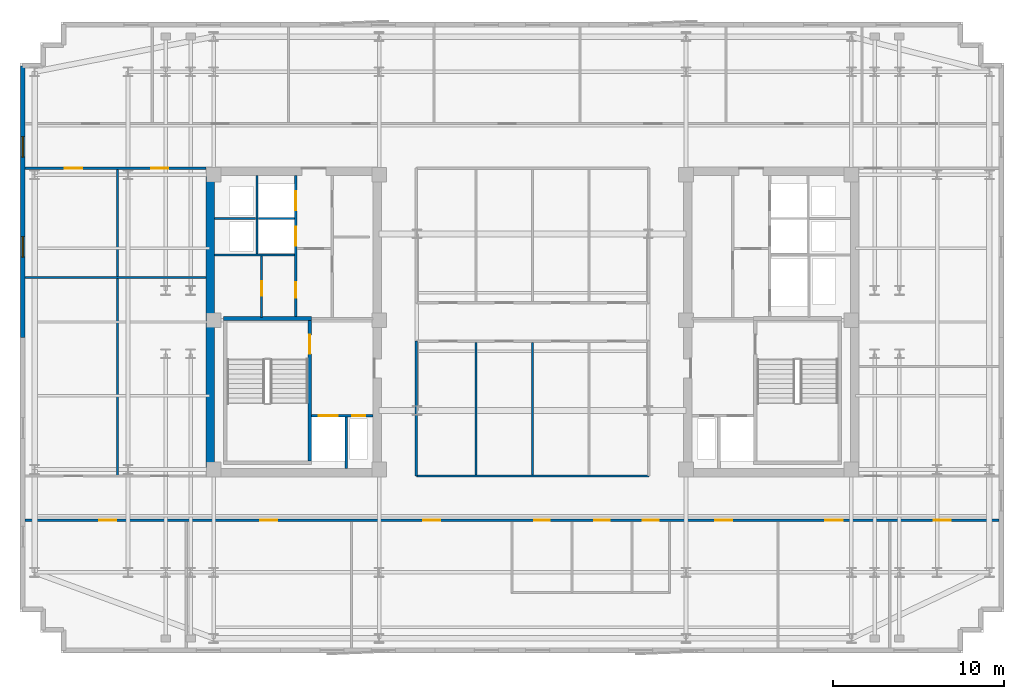
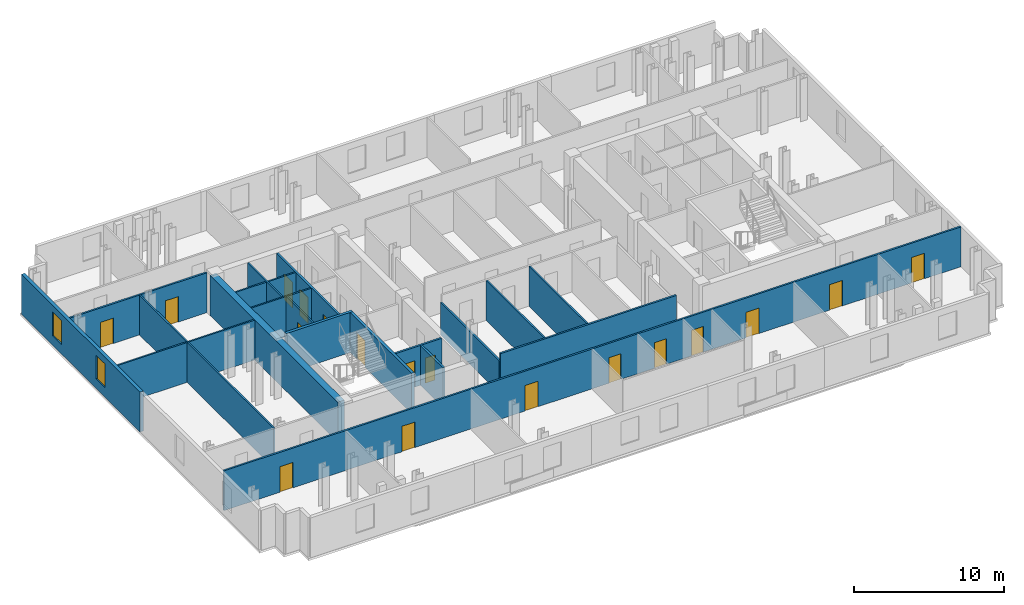
# One storey, part 4 of 9: 20 walls, 18 doors, 2 windows, 20 openings.
"""IFC4 building model written with IfcOpenShell, lengths in metres."""

from ifc_helpers import new_model, si_unit, direction, frame, frame_2d, origin, place, context, subcontext, project, spatial, rectangle, extrude, material, layer, layer_set, type_object, element, fill, save


model = new_model("IFC4")

# Units and contexts
model_context = context("Model", 3, precision=1e-05, world=origin(), true_north=direction((0.0, 1.0)))
body_context = subcontext(model_context, "Body", "Model", "MODEL_VIEW")
ifc_project = project(units=[si_unit("LENGTHUNIT", "METRE"), si_unit("AREAUNIT", "SQUARE_METRE"), si_unit("VOLUMEUNIT", "CUBIC_METRE"), si_unit("PLANEANGLEUNIT", "RADIAN"), si_unit("MASSUNIT", "GRAM", prefix="KILO")], contexts=[model_context])

# Site, building, storey
site_placement = place(None, origin())
site = spatial("IfcSite", under=ifc_project, at=site_placement, CompositionType="ELEMENT")
building_placement = place(site_placement, origin())
building = spatial("IfcBuilding", under=site, at=building_placement, Name="Velakula Bourse", CompositionType="ELEMENT")
storey_placement = place(building_placement, frame((0.0, 0.0, 236.10009765625)))
storey = spatial("IfcBuildingStorey", under=building, at=storey_placement, Name="L64", CompositionType="ELEMENT", Elevation=236.10009765625)

# Wall, opening, door
ifc_material_1 = material(Name="Concrete M50 (fck 50 MPa)", Category="concrete")
ifc_layer_1 = layer(ifc_material_1, 0.2099609375, Name="Concrete M50 (fck 50 MPa)", Category="concrete")
ifc_layer_set_1 = layer_set([ifc_layer_1], Name="Concrete M50 (fck 50 MPa)")
wall_type_1 = type_object("IfcWallType", Name="WL-CORE-210", PredefinedType="SHEAR", material=ifc_layer_set_1)
wall_1_placement = place(storey_placement, frame((-12.9951171875, -8.10009765625, 0.0), z_axis=(0.0, 0.0, 1.0), x_axis=(0.0, 1.0, 0.0)))
wall_1 = element("IfcWall", 1, at=wall_1_placement, inside=storey, type_object=wall_type_1, Name="L64 Core W Stairwell Shear Wall IN", PredefinedType="SHEAR", context=body_context, shape_type="SweptSolid", body=[
    extrude(rectangle(XDim=8.2001953125, YDim=0.2099609375, at=frame_2d((4.10009765625, 0.0))), origin(), (0.0, 0.0, 1.0), 3.27001953125),
])
opening_1_placement = place(wall_1_placement, frame((6.25, 0.0, 0.0)))
opening_1 = element("IfcOpeningElement", 2, at=opening_1_placement, cuts=wall_1, Name="Opening D-STW1", PredefinedType="OPENING", context=body_context, shape_type="SweptSolid", body=[
    extrude(rectangle(XDim=1.10009765625, YDim=2.14990234375, at=frame_2d((0.550048828125, 1.074951171875))), frame((0.0, 0.114990234375, 0.0), z_axis=(0.0, -1.0, 0.0), x_axis=(1.0, 0.0, 0.0)), (0.0, 0.0, 1.0), 0.22998046875),
])
ifc_material_2 = material(Name="Galvanised painted hollow steel fire door", Category="steel")
door_type_1 = type_object("IfcDoorType", Name="DR-FD120-1100x2150", OperationType="NOTDEFINED", PredefinedType="DOOR", material=ifc_material_2)
door_1_placement = place(opening_1_placement, origin())
door_1 = element("IfcDoor", 3, at=door_1_placement, inside=storey, type_object=door_type_1, Name="L64 Stair ST-W1 Fire Door", OperationType="SINGLE_SWING_LEFT", OverallHeight=2.14990234375, OverallWidth=1.10009765625, PredefinedType="DOOR", context=body_context, shape_type="SweptSolid", body=[
    extrude(rectangle(XDim=1.10009765625, YDim=2.14990234375, at=frame_2d((0.550048828125, 1.074951171875))), frame((0.0, 0.02490234375, 0.0), z_axis=(0.0, -1.0, 0.0), x_axis=(1.0, 0.0, 0.0)), (0.0, 0.0, 1.0), 0.050048828125),
])
fill(opening_1, door_1)

# Walls
wall_2_placement = place(storey_placement, frame((-12.889892578125, 0.205078125, 0.0), z_axis=(0.0, 0.0, 1.0), x_axis=(-1.0, 0.0, 0.0)))
element("IfcWall", 4, at=wall_2_placement, inside=storey, type_object=wall_type_1, Name="L64 Core W Stairwell Shear Wall N", PredefinedType="SHEAR", context=body_context, shape_type="SweptSolid", body=[
    extrude(rectangle(XDim=5.14013671875, YDim=0.2099609375, at=frame_2d((2.570068359375, 0.0))), origin(), (0.0, 0.0, 1.0), 3.27001953125),
])
ifc_layer_2 = layer(ifc_material_1, 0.5, Name="Concrete M50 (fck 50 MPa)", Category="concrete")
ifc_layer_set_2 = layer_set([ifc_layer_2], Name="Concrete M50 (fck 50 MPa)")
wall_type_2 = type_object("IfcWallType", Name="WL-CORE-500", PredefinedType="SHEAR", material=ifc_layer_set_2)
wall_3_placement = place(storey_placement, frame((-18.800048828125, -8.550048828125, 0.0), z_axis=(0.0, 0.0, 1.0), x_axis=(0.0, 1.0, 0.0)))
element("IfcWall", 5, at=wall_3_placement, inside=storey, type_object=wall_type_2, Name="L64 Core W Shear Wall W", PredefinedType="SHEAR", context=body_context, shape_type="SweptSolid", body=[
    extrude(rectangle(XDim=17.10009765625, YDim=0.5, at=frame_2d((8.550048828125, 0.0))), origin(), (0.0, 0.0, 1.0), 3.27001953125),
])

# Wall, openings, windows
ifc_material_3 = material(Name="Buff kilned clay facing brick masonry", Category="masonry")
ifc_layer_3 = layer(ifc_material_3, 0.260009765625, Name="Buff kilned clay facing brick masonry", Category="masonry")
ifc_layer_set_3 = layer_set([ifc_layer_3], Name="Buff kilned clay facing brick masonry")
wall_type_3 = type_object("IfcWallType", Name="WL-EXT-BRK-260", PredefinedType="STANDARD", material=ifc_layer_set_3)
wall_4_placement = place(storey_placement, frame((-29.75, -0.89990234375, 0.0), z_axis=(0.0, 0.0, 1.0), x_axis=(0.0, 1.0, 0.0)))
wall_4 = element("IfcWall", 6, at=wall_4_placement, inside=storey, type_object=wall_type_3, Name="L64 W Brick End Wall W2", PredefinedType="STANDARD", context=body_context, shape_type="SweptSolid", body=[
    extrude(rectangle(XDim=15.849853515625, YDim=0.260009765625, at=frame_2d((7.9248046875, 0.0))), origin(), (0.0, 0.0, 1.0), 3.25),
])
opening_2_placement = place(wall_4_placement, frame((4.683349609375, 0.0, 0.760009765625)))
opening_2 = element("IfcOpeningElement", 7, at=opening_2_placement, cuts=wall_4, Name="Opening W-04", PredefinedType="OPENING", context=body_context, shape_type="SweptSolid", body=[
    extrude(rectangle(XDim=1.199951171875, YDim=1.949951171875, at=frame_2d((0.60009765625, 0.97509765625))), frame((0.0, 0.139892578125, 0.0), z_axis=(0.0, -1.0, 0.0), x_axis=(1.0, 0.0, 0.0)), (0.0, 0.0, 1.0), 0.280029296875),
])
opening_3_placement = place(wall_4_placement, frame((10.5166015625, 0.0, 0.760009765625)))
opening_3 = element("IfcOpeningElement", 8, at=opening_3_placement, cuts=wall_4, Name="Opening W-04", PredefinedType="OPENING", context=body_context, shape_type="SweptSolid", body=[
    extrude(rectangle(XDim=1.199951171875, YDim=1.949951171875, at=frame_2d((0.60009765625, 0.97509765625))), frame((0.0, 0.139892578125, 0.0), z_axis=(0.0, -1.0, 0.0), x_axis=(1.0, 0.0, 0.0)), (0.0, 0.0, 1.0), 0.280029296875),
])
ifc_material_4 = material(Name="Double-glazed solar-control Low-E glass", Category="glass")
window_type = type_object("IfcWindowType", Name="WIN-TWR-1200x2100", PartitioningType="SINGLE_PANEL", PredefinedType="WINDOW", material=ifc_material_4)
window_1_placement = place(opening_2_placement, origin())
window_1 = element("IfcWindow", 9, at=window_1_placement, inside=storey, type_object=window_type, Name="L64 Deep-Set Recessed Window 1", OverallHeight=1.949951171875, OverallWidth=1.199951171875, PartitioningType="SINGLE_PANEL", PredefinedType="WINDOW", context=body_context, shape_type="SweptSolid", body=[
    extrude(rectangle(XDim=1.199951171875, YDim=1.949951171875, at=frame_2d((0.60009765625, 0.97509765625))), frame((0.0, 0.030029296875, 0.0), z_axis=(0.0, -1.0, 0.0), x_axis=(1.0, 0.0, 0.0)), (0.0, 0.0, 1.0), 0.06005859375),
])
fill(opening_2, window_1)
window_2_placement = place(opening_3_placement, origin())
window_2 = element("IfcWindow", 10, at=window_2_placement, inside=storey, type_object=window_type, Name="L64 Deep-Set Recessed Window 2", OverallHeight=1.949951171875, OverallWidth=1.199951171875, PartitioningType="SINGLE_PANEL", PredefinedType="WINDOW", context=body_context, shape_type="SweptSolid", body=[
    extrude(rectangle(XDim=1.199951171875, YDim=1.949951171875, at=frame_2d((0.60009765625, 0.97509765625))), frame((0.0, 0.030029296875, 0.0), z_axis=(0.0, -1.0, 0.0), x_axis=(1.0, 0.0, 0.0)), (0.0, 0.0, 1.0), 0.06005859375),
])
fill(opening_3, window_2)

# Walls
ifc_material_5 = material(Name="Fire-rated double-layer gypsum drywall partition", Category="gypsum")
ifc_layer_4 = layer(ifc_material_5, 0.1201171875, Name="Fire-rated double-layer gypsum drywall partition", Category="gypsum")
ifc_layer_set_4 = layer_set([ifc_layer_4], Name="Fire-rated double-layer gypsum drywall partition")
wall_type_4 = type_object("IfcWallType", Name="WL-PART-120", PredefinedType="STANDARD", material=ifc_layer_set_4)
wall_5_placement = place(storey_placement, frame((-18.550048828125, 3.919921875, 0.0), z_axis=(0.0, 0.0, 1.0), x_axis=(1.0, 0.0, 0.0)))
element("IfcWall", 11, at=wall_5_placement, inside=storey, type_object=wall_type_4, Name="L64 Interior Partition WL-CRW-L64-HI-S", PredefinedType="STANDARD", context=body_context, shape_type="SweptSolid", body=[
    extrude(rectangle(XDim=4.650146484375, YDim=0.1201171875, at=frame_2d((2.3251953125, 0.0))), origin(), (0.0, 0.0, 1.0), 3.25),
])
wall_6_placement = place(storey_placement, frame((-18.550048828125, 6.030029296875, 0.0), z_axis=(0.0, 0.0, 1.0), x_axis=(1.0, 0.0, 0.0)))
element("IfcWall", 12, at=wall_6_placement, inside=storey, type_object=wall_type_4, Name="L64 Interior Partition WL-CRW-L64-RIS-MID", PredefinedType="STANDARD", context=body_context, shape_type="SweptSolid", body=[
    extrude(rectangle(XDim=2.400146484375, YDim=0.1201171875, at=frame_2d((1.2001953125, 0.0))), origin(), (0.0, 0.0, 1.0), 3.25),
])
wall_7_placement = place(storey_placement, frame((-16.074951171875, 3.97998046875, 0.0), z_axis=(0.0, 0.0, 1.0), x_axis=(0.0, 1.0, 0.0)))
element("IfcWall", 13, at=wall_7_placement, inside=storey, type_object=wall_type_4, Name="L64 Interior Partition WL-CRW-L64-RIS-F", PredefinedType="STANDARD", context=body_context, shape_type="SweptSolid", body=[
    extrude(rectangle(XDim=4.570068359375, YDim=0.1201171875, at=frame_2d((2.28515625, 0.0))), origin(), (0.0, 0.0, 1.0), 3.25),
])
wall_8_placement = place(storey_placement, frame((-16.0, 6.030029296875, 0.0), z_axis=(0.0, 0.0, 1.0), x_axis=(1.0, 0.0, 0.0)))
element("IfcWall", 14, at=wall_8_placement, inside=storey, type_object=wall_type_4, Name="L64 Interior Partition WL-CRW-L64-HI-DIV", PredefinedType="STANDARD", context=body_context, shape_type="SweptSolid", body=[
    extrude(rectangle(XDim=2.10009765625, YDim=0.1201171875, at=frame_2d((1.050048828125, 0.0))), origin(), (0.0, 0.0, 1.0), 3.25),
])

# Wall, opening, door
wall_9_placement = place(storey_placement, frame((-15.800048828125, 0.27001953125, 0.0), z_axis=(0.0, 0.0, 1.0), x_axis=(0.0, 1.0, 0.0)))
wall_9 = element("IfcWall", 15, at=wall_9_placement, inside=storey, type_object=wall_type_4, Name="L64 Interior Partition WL-CRW-L64-K2", PredefinedType="STANDARD", context=body_context, shape_type="SweptSolid", body=[
    extrude(rectangle(XDim=3.590087890625, YDim=0.1201171875, at=frame_2d((1.794921875, 0.0))), origin(), (0.0, 0.0, 1.0), 3.25),
])
opening_4_placement = place(wall_9_placement, frame((1.25, 0.0, 0.0)))
opening_4 = element("IfcOpeningElement", 16, at=opening_4_placement, cuts=wall_9, Name="Opening D-CE1", PredefinedType="OPENING", context=body_context, shape_type="SweptSolid", body=[
    extrude(rectangle(XDim=0.85009765625, YDim=2.050048828125, at=frame_2d((0.425048828125, 1.02490234375))), frame((0.0, 0.070068359375, 0.0), z_axis=(0.0, -1.0, 0.0), x_axis=(1.0, 0.0, 0.0)), (0.0, 0.0, 1.0), 0.14013671875),
])
ifc_material_6 = material(Name="Fire-rated hardwood flush architectural door", Category="wood")
door_type_2 = type_object("IfcDoorType", Name="DR-INT-850", OperationType="NOTDEFINED", PredefinedType="DOOR", material=ifc_material_6)
door_2_placement = place(opening_4_placement, origin())
door_2 = element("IfcDoor", 17, at=door_2_placement, inside=storey, type_object=door_type_2, Name="L64 Core Equipment Store Door", OperationType="SINGLE_SWING_RIGHT", OverallHeight=2.050048828125, OverallWidth=0.85009765625, PredefinedType="DOOR", context=body_context, shape_type="SweptSolid", body=[
    extrude(rectangle(XDim=0.85009765625, YDim=2.050048828125, at=frame_2d((0.425048828125, 1.02490234375))), frame((0.0, 0.02490234375, 0.0), z_axis=(0.0, -1.0, 0.0), x_axis=(1.0, 0.0, 0.0)), (0.0, 0.0, 1.0), 0.050048828125),
])
fill(opening_4, door_2)

# Walls
wall_10_placement = place(storey_placement, frame((-29.6201171875, 2.60009765625, 0.0), z_axis=(0.0, 0.0, 1.0), x_axis=(1.0, 0.0, 0.0)))
element("IfcWall", 18, at=wall_10_placement, inside=storey, type_object=wall_type_4, Name="L64 Interior Partition WL-INT-L64-W-H", PredefinedType="STANDARD", context=body_context, shape_type="SweptSolid", body=[
    extrude(rectangle(XDim=10.570068359375, YDim=0.1201171875, at=frame_2d((5.28515625, 0.0))), origin(), (0.0, 0.0, 1.0), 3.25),
])
wall_11_placement = place(storey_placement, frame((-24.205078125, -8.97998046875, 0.0), z_axis=(0.0, 0.0, 1.0), x_axis=(0.0, 1.0, 0.0)))
element("IfcWall", 19, at=wall_11_placement, inside=storey, type_object=wall_type_4, Name="L64 Interior Partition WL-INT-L64-W-V1", PredefinedType="STANDARD", context=body_context, shape_type="SweptSolid", body=[
    extrude(rectangle(XDim=17.9599609375, YDim=0.1201171875, at=frame_2d((8.97998046875, 0.0))), origin(), (0.0, 0.0, 1.0), 3.25),
])

# Wall, openings, doors
ifc_layer_5 = layer(ifc_material_5, 0.139892578125, Name="Fire-rated double-layer gypsum drywall partition", Category="gypsum")
ifc_layer_set_5 = layer_set([ifc_layer_5], Name="Fire-rated double-layer gypsum drywall partition")
wall_type_5 = type_object("IfcWallType", Name="WL-PART-140", PredefinedType="STANDARD", material=ifc_layer_set_5)
wall_12_placement = place(storey_placement, frame((-29.6201171875, -11.570068359375, 0.0), z_axis=(0.0, 0.0, 1.0), x_axis=(1.0, 0.0, 0.0)))
wall_12 = element("IfcWall", 20, at=wall_12_placement, inside=storey, type_object=wall_type_5, Name="L64 Interior Partition WL-INT-L64-S-CORR", PredefinedType="STANDARD", context=body_context, shape_type="SweptSolid", body=[
    extrude(rectangle(XDim=56.840087890625, YDim=0.139892578125, at=frame_2d((28.419921875, 0.0))), origin(), (0.0, 0.0, 1.0), 3.25),
])
opening_5_placement = place(wall_12_placement, frame((29.7099609375, 0.0, 0.0)))
opening_5 = element("IfcOpeningElement", 21, at=opening_5_placement, cuts=wall_12, Name="Opening D-WT1", PredefinedType="OPENING", context=body_context, shape_type="SweptSolid", body=[
    extrude(rectangle(XDim=0.919921875, YDim=2.080078125, at=frame_2d((0.4599609375, 1.0400390625))), frame((0.0, 0.079833984375, 0.0), z_axis=(0.0, -1.0, 0.0), x_axis=(1.0, 0.0, 0.0)), (0.0, 0.0, 1.0), 0.159912109375),
])
opening_6_placement = place(wall_12_placement, frame((33.2099609375, 0.0, 0.0)))
opening_6 = element("IfcOpeningElement", 22, at=opening_6_placement, cuts=wall_12, Name="Opening D-WT1", PredefinedType="OPENING", context=body_context, shape_type="SweptSolid", body=[
    extrude(rectangle(XDim=0.919921875, YDim=2.080078125, at=frame_2d((0.4599609375, 1.0400390625))), frame((0.0, 0.079833984375, 0.0), z_axis=(0.0, -1.0, 0.0), x_axis=(1.0, 0.0, 0.0)), (0.0, 0.0, 1.0), 0.159912109375),
])
opening_7_placement = place(wall_12_placement, frame((36.06005859375, 0.0, 0.0)))
opening_7 = element("IfcOpeningElement", 23, at=opening_7_placement, cuts=wall_12, Name="Opening D-WC1", PredefinedType="OPENING", context=body_context, shape_type="SweptSolid", body=[
    extrude(rectangle(XDim=0.919921875, YDim=2.080078125, at=frame_2d((0.4599609375, 1.0400390625))), frame((0.0, 0.079833984375, 0.0), z_axis=(0.0, -1.0, 0.0), x_axis=(1.0, 0.0, 0.0)), (0.0, 0.0, 1.0), 0.159912109375),
])
opening_8_placement = place(wall_12_placement, frame((4.33544921875, 0.0, 0.0)))
opening_8 = element("IfcOpeningElement", 24, at=opening_8_placement, cuts=wall_12, Name="Opening D-OF1", PredefinedType="OPENING", context=body_context, shape_type="SweptSolid", body=[
    extrude(rectangle(XDim=1.0, YDim=2.080078125, at=frame_2d((0.5, 1.0400390625))), frame((0.0, 0.079833984375, 0.0), z_axis=(0.0, -1.0, 0.0), x_axis=(1.0, 0.0, 0.0)), (0.0, 0.0, 1.0), 0.159912109375),
])
opening_9_placement = place(wall_12_placement, frame((13.739990234375, 0.0, 0.0)))
opening_9 = element("IfcOpeningElement", 25, at=opening_9_placement, cuts=wall_12, Name="Opening D-OF1", PredefinedType="OPENING", context=body_context, shape_type="SweptSolid", body=[
    extrude(rectangle(XDim=1.0, YDim=2.080078125, at=frame_2d((0.5, 1.0400390625))), frame((0.0, 0.079833984375, 0.0), z_axis=(0.0, -1.0, 0.0), x_axis=(1.0, 0.0, 0.0)), (0.0, 0.0, 1.0), 0.159912109375),
])
opening_10_placement = place(wall_12_placement, frame((23.240478515625, 0.0, 0.0)))
opening_10 = element("IfcOpeningElement", 26, at=opening_10_placement, cuts=wall_12, Name="Opening D-OF1", PredefinedType="OPENING", context=body_context, shape_type="SweptSolid", body=[
    extrude(rectangle(XDim=1.0, YDim=2.080078125, at=frame_2d((0.5, 1.0400390625))), frame((0.0, 0.079833984375, 0.0), z_axis=(0.0, -1.0, 0.0), x_axis=(1.0, 0.0, 0.0)), (0.0, 0.0, 1.0), 0.159912109375),
])
opening_11_placement = place(wall_12_placement, frame((40.281494140625, 0.0, 0.0)))
opening_11 = element("IfcOpeningElement", 27, at=opening_11_placement, cuts=wall_12, Name="Opening D-OF1", PredefinedType="OPENING", context=body_context, shape_type="SweptSolid", body=[
    extrude(rectangle(XDim=1.0, YDim=2.080078125, at=frame_2d((0.5, 1.0400390625))), frame((0.0, 0.079833984375, 0.0), z_axis=(0.0, -1.0, 0.0), x_axis=(1.0, 0.0, 0.0)), (0.0, 0.0, 1.0), 0.159912109375),
])
opening_12_placement = place(wall_12_placement, frame((46.699951171875, 0.0, 0.0)))
opening_12 = element("IfcOpeningElement", 28, at=opening_12_placement, cuts=wall_12, Name="Opening D-OF1", PredefinedType="OPENING", context=body_context, shape_type="SweptSolid", body=[
    extrude(rectangle(XDim=1.0, YDim=2.080078125, at=frame_2d((0.5, 1.0400390625))), frame((0.0, 0.079833984375, 0.0), z_axis=(0.0, -1.0, 0.0), x_axis=(1.0, 0.0, 0.0)), (0.0, 0.0, 1.0), 0.159912109375),
])
opening_13_placement = place(wall_12_placement, frame((53.0224609375, 0.0, 0.0)))
opening_13 = element("IfcOpeningElement", 29, at=opening_13_placement, cuts=wall_12, Name="Opening D-OF1", PredefinedType="OPENING", context=body_context, shape_type="SweptSolid", body=[
    extrude(rectangle(XDim=1.0, YDim=2.080078125, at=frame_2d((0.5, 1.0400390625))), frame((0.0, 0.079833984375, 0.0), z_axis=(0.0, -1.0, 0.0), x_axis=(1.0, 0.0, 0.0)), (0.0, 0.0, 1.0), 0.159912109375),
])
door_type_3 = type_object("IfcDoorType", Name="DR-OFF-1000", OperationType="NOTDEFINED", PredefinedType="DOOR", material=ifc_material_6)
door_3_placement = place(opening_8_placement, origin())
door_3 = element("IfcDoor", 30, at=door_3_placement, inside=storey, type_object=door_type_3, Name="L64 Sky-Garden Veranda Lounge Door", OperationType="SINGLE_SWING_LEFT", OverallHeight=2.080078125, OverallWidth=1.0, PredefinedType="DOOR", context=body_context, shape_type="SweptSolid", body=[
    extrude(rectangle(XDim=1.0, YDim=2.080078125, at=frame_2d((0.5, 1.0400390625))), frame((0.0, 0.02490234375, 0.0), z_axis=(0.0, -1.0, 0.0), x_axis=(1.0, 0.0, 0.0)), (0.0, 0.0, 1.0), 0.050048828125),
])
fill(opening_8, door_3)
door_4_placement = place(opening_9_placement, origin())
door_4 = element("IfcDoor", 31, at=door_4_placement, inside=storey, type_object=door_type_3, Name="L64 Issuer Relations Office Door", OperationType="SINGLE_SWING_RIGHT", OverallHeight=2.080078125, OverallWidth=1.0, PredefinedType="DOOR", context=body_context, shape_type="SweptSolid", body=[
    extrude(rectangle(XDim=1.0, YDim=2.080078125, at=frame_2d((0.5, 1.0400390625))), frame((0.0, 0.02490234375, 0.0), z_axis=(0.0, -1.0, 0.0), x_axis=(1.0, 0.0, 0.0)), (0.0, 0.0, 1.0), 0.050048828125),
])
fill(opening_9, door_4)
door_5_placement = place(opening_10_placement, origin())
door_5 = element("IfcDoor", 32, at=door_5_placement, inside=storey, type_object=door_type_3, Name="L64 Yield Curve Seminar Room Door", OperationType="SINGLE_SWING_LEFT", OverallHeight=2.080078125, OverallWidth=1.0, PredefinedType="DOOR", context=body_context, shape_type="SweptSolid", body=[
    extrude(rectangle(XDim=1.0, YDim=2.080078125, at=frame_2d((0.5, 1.0400390625))), frame((0.0, 0.02490234375, 0.0), z_axis=(0.0, -1.0, 0.0), x_axis=(1.0, 0.0, 0.0)), (0.0, 0.0, 1.0), 0.050048828125),
])
fill(opening_10, door_5)
door_6_placement = place(opening_11_placement, origin())
door_6 = element("IfcDoor", 33, at=door_6_placement, inside=storey, type_object=door_type_3, Name="L64 Traders Pantry Door", OperationType="SINGLE_SWING_RIGHT", OverallHeight=2.080078125, OverallWidth=1.0, PredefinedType="DOOR", context=body_context, shape_type="SweptSolid", body=[
    extrude(rectangle(XDim=1.0, YDim=2.080078125, at=frame_2d((0.5, 1.0400390625))), frame((0.0, 0.02490234375, 0.0), z_axis=(0.0, -1.0, 0.0), x_axis=(1.0, 0.0, 0.0)), (0.0, 0.0, 1.0), 0.050048828125),
])
fill(opening_11, door_6)
door_7_placement = place(opening_12_placement, origin())
door_7 = element("IfcDoor", 34, at=door_7_placement, inside=storey, type_object=door_type_3, Name="L64 ESG Rating Analytics Workspace Door", OperationType="SINGLE_SWING_LEFT", OverallHeight=2.080078125, OverallWidth=1.0, PredefinedType="DOOR", context=body_context, shape_type="SweptSolid", body=[
    extrude(rectangle(XDim=1.0, YDim=2.080078125, at=frame_2d((0.5, 1.0400390625))), frame((0.0, 0.02490234375, 0.0), z_axis=(0.0, -1.0, 0.0), x_axis=(1.0, 0.0, 0.0)), (0.0, 0.0, 1.0), 0.050048828125),
])
fill(opening_12, door_7)
door_8_placement = place(opening_13_placement, origin())
door_8 = element("IfcDoor", 35, at=door_8_placement, inside=storey, type_object=door_type_3, Name="L64 Issuer Relations Office Door", OperationType="SINGLE_SWING_RIGHT", OverallHeight=2.080078125, OverallWidth=1.0, PredefinedType="DOOR", context=body_context, shape_type="SweptSolid", body=[
    extrude(rectangle(XDim=1.0, YDim=2.080078125, at=frame_2d((0.5, 1.0400390625))), frame((0.0, 0.02490234375, 0.0), z_axis=(0.0, -1.0, 0.0), x_axis=(1.0, 0.0, 0.0)), (0.0, 0.0, 1.0), 0.050048828125),
])
fill(opening_13, door_8)
door_type_4 = type_object("IfcDoorType", Name="DR-WC-950", OperationType="NOTDEFINED", PredefinedType="DOOR", material=ifc_material_6)
door_9_placement = place(opening_5_placement, origin())
door_9 = element("IfcDoor", 36, at=door_9_placement, inside=storey, type_object=door_type_4, Name="L64 Male Staff Toilet Door", OperationType="SINGLE_SWING_RIGHT", OverallHeight=2.080078125, OverallWidth=0.919921875, PredefinedType="DOOR", context=body_context, shape_type="SweptSolid", body=[
    extrude(rectangle(XDim=0.919921875, YDim=2.080078125, at=frame_2d((0.4599609375, 1.0400390625))), frame((0.0, 0.02490234375, 0.0), z_axis=(0.0, -1.0, 0.0), x_axis=(1.0, 0.0, 0.0)), (0.0, 0.0, 1.0), 0.050048828125),
])
fill(opening_5, door_9)
door_10_placement = place(opening_6_placement, origin())
door_10 = element("IfcDoor", 37, at=door_10_placement, inside=storey, type_object=door_type_4, Name="L64 Female Staff Toilet Door", OperationType="SINGLE_SWING_LEFT", OverallHeight=2.080078125, OverallWidth=0.919921875, PredefinedType="DOOR", context=body_context, shape_type="SweptSolid", body=[
    extrude(rectangle(XDim=0.919921875, YDim=2.080078125, at=frame_2d((0.4599609375, 1.0400390625))), frame((0.0, 0.02490234375, 0.0), z_axis=(0.0, -1.0, 0.0), x_axis=(1.0, 0.0, 0.0)), (0.0, 0.0, 1.0), 0.050048828125),
])
fill(opening_6, door_10)
door_11_placement = place(opening_7_placement, origin())
door_11 = element("IfcDoor", 38, at=door_11_placement, inside=storey, type_object=door_type_4, Name="L64 Accessible WC Door", OperationType="SINGLE_SWING_RIGHT", OverallHeight=2.080078125, OverallWidth=0.919921875, PredefinedType="DOOR", context=body_context, shape_type="SweptSolid", body=[
    extrude(rectangle(XDim=0.919921875, YDim=2.080078125, at=frame_2d((0.4599609375, 1.0400390625))), frame((0.0, 0.02490234375, 0.0), z_axis=(0.0, -1.0, 0.0), x_axis=(1.0, 0.0, 0.0)), (0.0, 0.0, 1.0), 0.050048828125),
])
fill(opening_7, door_11)

wall_13_placement = place(storey_placement, frame((-29.6201171875, 8.97998046875, 0.0), z_axis=(0.0, 0.0, 1.0), x_axis=(1.0, 0.0, 0.0)))
wall_13 = element("IfcWall", 39, at=wall_13_placement, inside=storey, type_object=wall_type_5, Name="L64 Interior Partition WL-INT-L64-W-NC", PredefinedType="STANDARD", context=body_context, shape_type="SweptSolid", body=[
    extrude(rectangle(XDim=10.570068359375, YDim=0.139892578125, at=frame_2d((5.28515625, 0.0))), origin(), (0.0, 0.0, 1.0), 3.25),
])
opening_14_placement = place(wall_13_placement, frame((2.33740234375, 0.0, 0.0)))
opening_14 = element("IfcOpeningElement", 40, at=opening_14_placement, cuts=wall_13, Name="Opening D-OF1", PredefinedType="OPENING", context=body_context, shape_type="SweptSolid", body=[
    extrude(rectangle(XDim=1.0, YDim=2.080078125, at=frame_2d((0.5, 1.0400390625))), frame((0.0, 0.079833984375, 0.0), z_axis=(0.0, -1.0, 0.0), x_axis=(1.0, 0.0, 0.0)), (0.0, 0.0, 1.0), 0.159912109375),
])
opening_15_placement = place(wall_13_placement, frame((7.362548828125, 0.0, 0.0)))
opening_15 = element("IfcOpeningElement", 41, at=opening_15_placement, cuts=wall_13, Name="Opening D-OF1", PredefinedType="OPENING", context=body_context, shape_type="SweptSolid", body=[
    extrude(rectangle(XDim=1.0, YDim=2.080078125, at=frame_2d((0.5, 1.0400390625))), frame((0.0, 0.079833984375, 0.0), z_axis=(0.0, -1.0, 0.0), x_axis=(1.0, 0.0, 0.0)), (0.0, 0.0, 1.0), 0.159912109375),
])
door_12_placement = place(opening_14_placement, origin())
door_12 = element("IfcDoor", 42, at=door_12_placement, inside=storey, type_object=door_type_3, Name="L64 Issuer Relations Office Door", OperationType="SINGLE_SWING_LEFT", OverallHeight=2.080078125, OverallWidth=1.0, PredefinedType="DOOR", context=body_context, shape_type="SweptSolid", body=[
    extrude(rectangle(XDim=1.0, YDim=2.080078125, at=frame_2d((0.5, 1.0400390625))), frame((0.0, 0.02490234375, 0.0), z_axis=(0.0, -1.0, 0.0), x_axis=(1.0, 0.0, 0.0)), (0.0, 0.0, 1.0), 0.050048828125),
])
fill(opening_14, door_12)
door_13_placement = place(opening_15_placement, origin())
door_13 = element("IfcDoor", 43, at=door_13_placement, inside=storey, type_object=door_type_3, Name="L64 Arbitration Conference Room Door", OperationType="SINGLE_SWING_RIGHT", OverallHeight=2.080078125, OverallWidth=1.0, PredefinedType="DOOR", context=body_context, shape_type="SweptSolid", body=[
    extrude(rectangle(XDim=1.0, YDim=2.080078125, at=frame_2d((0.5, 1.0400390625))), frame((0.0, 0.02490234375, 0.0), z_axis=(0.0, -1.0, 0.0), x_axis=(1.0, 0.0, 0.0)), (0.0, 0.0, 1.0), 0.050048828125),
])
fill(opening_15, door_13)

# Walls
wall_14_placement = place(storey_placement, frame((-6.780029296875, -8.97998046875, 0.0), z_axis=(0.0, 0.0, 1.0), x_axis=(1.0, 0.0, 0.0)))
element("IfcWall", 44, at=wall_14_placement, inside=storey, type_object=wall_type_5, Name="L64 Interior Partition WL-INT-L64-MS-OUT", PredefinedType="STANDARD", context=body_context, shape_type="SweptSolid", body=[
    extrude(rectangle(XDim=13.56005859375, YDim=0.139892578125, at=frame_2d((6.780029296875, 0.0))), origin(), (0.0, 0.0, 1.0), 3.25),
])
wall_15_placement = place(storey_placement, frame((-6.780029296875, -8.97998046875, 0.0), z_axis=(0.0, 0.0, 1.0), x_axis=(0.0, 1.0, 0.0)))
element("IfcWall", 45, at=wall_15_placement, inside=storey, type_object=wall_type_5, Name="L64 Interior Partition WL-INT-L64-MS-W", PredefinedType="STANDARD", context=body_context, shape_type="SweptSolid", body=[
    extrude(rectangle(XDim=7.85986328125, YDim=0.139892578125, at=frame_2d((3.929931640625, 0.0))), origin(), (0.0, 0.0, 1.0), 2.64501953125),
])
for number, where, z_axis, x_axis, name in (
    (46, (-3.300048828125, -8.909912109375, 0.0), (0.0, 0.0, 1.0), (0.0, 1.0, 0.0), "L64 Interior Partition WL-INT-L64-MS-V1"),
    (47, (0.0, -8.909912109375, 0.0), (0.0, 0.0, 1.0), (0.0, 1.0, 0.0), "L64 Interior Partition WL-INT-L64-MS-V2"),
):
    element("IfcWall", number, at=place(storey_placement, frame(where, z_axis=z_axis, x_axis=x_axis)), inside=storey, type_object=wall_type_5, Name=name, PredefinedType="STANDARD", context=body_context, shape_type="SweptSolid", body=[
        extrude(rectangle(XDim=7.719970703125, YDim=0.1201171875, at=frame_2d((3.85986328125, 0.0))), origin(), (0.0, 0.0, 1.0), 3.25),
    ])

# Wall, openings, doors
ifc_material_7 = material(Name="Autoclaved aerated concrete blockwork masonry", Category="masonry")
ifc_layer_6 = layer(ifc_material_7, 0.14990234375, Name="Autoclaved aerated concrete blockwork masonry", Category="masonry")
ifc_layer_set_6 = layer_set([ifc_layer_6], Name="Autoclaved aerated concrete blockwork masonry")
wall_type_6 = type_object("IfcWallType", Name="WL-SHAFT-150", PredefinedType="STANDARD", material=ifc_layer_set_6)
wall_16_placement = place(storey_placement, frame((-12.89501953125, -5.47509765625, 0.0), z_axis=(0.0, 0.0, 1.0), x_axis=(1.0, 0.0, 0.0)))
wall_16 = element("IfcWall", 48, at=wall_16_placement, inside=storey, type_object=wall_type_6, Name="L64 Interior Partition WL-CRW-L64-FFL-N", PredefinedType="STANDARD", context=body_context, shape_type="SweptSolid", body=[
    extrude(rectangle(XDim=3.594970703125, YDim=0.14990234375, at=frame_2d((1.79736328125, 0.0))), origin(), (0.0, 0.0, 1.0), 3.25),
])
opening_16_placement = place(wall_16_placement, frame((0.419921875, 0.0, 0.0)))
opening_16 = element("IfcOpeningElement", 49, at=opening_16_placement, cuts=wall_16, Name="Opening LD-FFL-1", PredefinedType="OPENING", context=body_context, shape_type="SweptSolid", body=[
    extrude(rectangle(XDim=1.10009765625, YDim=2.14990234375, at=frame_2d((0.550048828125, 1.074951171875))), frame((0.0, 0.0849609375, 0.0), z_axis=(0.0, -1.0, 0.0), x_axis=(1.0, 0.0, 0.0)), (0.0, 0.0, 1.0), 0.169921875),
])
opening_17_placement = place(wall_16_placement, frame((2.3701171875, 0.0, 0.0)))
opening_17 = element("IfcOpeningElement", 50, at=opening_17_placement, cuts=wall_16, Name="Opening D-RS1", PredefinedType="OPENING", context=body_context, shape_type="SweptSolid", body=[
    extrude(rectangle(XDim=0.75, YDim=2.050048828125, at=frame_2d((0.375, 1.02490234375))), frame((0.0, 0.0849609375, 0.0), z_axis=(0.0, -1.0, 0.0), x_axis=(1.0, 0.0, 0.0)), (0.0, 0.0, 1.0), 0.169921875),
])
door_type_5 = type_object("IfcDoorType", Name="DR-RISER-800", OperationType="NOTDEFINED", PredefinedType="DOOR", material=ifc_material_2)
door_14_placement = place(opening_17_placement, origin())
door_14 = element("IfcDoor", 51, at=door_14_placement, inside=storey, type_object=door_type_5, Name="L64 Fire Riser Access Door", OperationType="SINGLE_SWING_LEFT", OverallHeight=2.050048828125, OverallWidth=0.75, PredefinedType="DOOR", context=body_context, shape_type="SweptSolid", body=[
    extrude(rectangle(XDim=0.75, YDim=2.050048828125, at=frame_2d((0.375, 1.02490234375))), frame((0.0, 0.02490234375, 0.0), z_axis=(0.0, -1.0, 0.0), x_axis=(1.0, 0.0, 0.0)), (0.0, 0.0, 1.0), 0.050048828125),
])
fill(opening_17, door_14)
ifc_material_8 = material(Name="Brushed grade 316 stainless steel", Category="steel")
door_type_6 = type_object("IfcDoorType", Name="DR-SLIDE-FFL-1100", OperationType="DOUBLE_DOOR_SLIDING", PredefinedType="DOOR", material=ifc_material_8)
door_15_placement = place(opening_16_placement, origin())
door_15 = element("IfcDoor", 52, at=door_15_placement, inside=storey, type_object=door_type_6, Name="L64 Firefighting Lift FFL-1 Sliding Landing Door", OperationType="DOUBLE_DOOR_SLIDING", OverallHeight=2.14990234375, OverallWidth=1.10009765625, PredefinedType="DOOR", context=body_context, shape_type="SweptSolid", body=[
    extrude(rectangle(XDim=1.10009765625, YDim=2.14990234375, at=frame_2d((0.550048828125, 1.074951171875))), frame((0.0, 0.02490234375, 0.0), z_axis=(0.0, -1.0, 0.0), x_axis=(1.0, 0.0, 0.0)), (0.0, 0.0, 1.0), 0.050048828125),
])
fill(opening_16, door_15)

# Wall
wall_17_placement = place(storey_placement, frame((-10.875, -8.550048828125, 0.0), z_axis=(0.0, 0.0, 1.0), x_axis=(0.0, 1.0, 0.0)))
element("IfcWall", 53, at=wall_17_placement, inside=storey, type_object=wall_type_6, Name="L64 Interior Partition WL-CRW-L64-FR-DIV", PredefinedType="STANDARD", context=body_context, shape_type="SweptSolid", body=[
    extrude(rectangle(XDim=3.0, YDim=0.14990234375, at=frame_2d((1.5, 0.0))), origin(), (0.0, 0.0, 1.0), 3.25),
])

# Wall, openings, doors
wall_18_placement = place(storey_placement, frame((-13.824951171875, 0.27001953125, 0.0), z_axis=(0.0, 0.0, 1.0), x_axis=(0.0, 1.0, 0.0)))
wall_18 = element("IfcWall", 54, at=wall_18_placement, inside=storey, type_object=wall_type_6, Name="L64 Interior Partition WL-CRW-L64-OUT-F", PredefinedType="STANDARD", context=body_context, shape_type="SweptSolid", body=[
    extrude(rectangle(XDim=8.280029296875, YDim=0.14990234375, at=frame_2d((4.14013671875, 0.0))), origin(), (0.0, 0.0, 1.0), 3.25),
])
opening_18_placement = place(wall_18_placement, frame((4.175048828125, 0.0, 0.0)))
opening_18 = element("IfcOpeningElement", 55, at=opening_18_placement, cuts=wall_18, Name="Opening LD-P9", PredefinedType="OPENING", context=body_context, shape_type="SweptSolid", body=[
    extrude(rectangle(XDim=1.10009765625, YDim=2.10009765625, at=frame_2d((0.550048828125, 1.050048828125))), frame((0.0, 0.0849609375, 0.0), z_axis=(0.0, -1.0, 0.0), x_axis=(1.0, 0.0, 0.0)), (0.0, 0.0, 1.0), 0.169921875),
])
opening_19_placement = place(wall_18_placement, frame((6.2451171875, 0.0, 0.0)))
opening_19 = element("IfcOpeningElement", 56, at=opening_19_placement, cuts=wall_18, Name="Opening LD-P10", PredefinedType="OPENING", context=body_context, shape_type="SweptSolid", body=[
    extrude(rectangle(XDim=1.10009765625, YDim=2.10009765625, at=frame_2d((0.550048828125, 1.050048828125))), frame((0.0, 0.0849609375, 0.0), z_axis=(0.0, -1.0, 0.0), x_axis=(1.0, 0.0, 0.0)), (0.0, 0.0, 1.0), 0.169921875),
])
opening_20_placement = place(wall_18_placement, frame((1.14990234375, 0.0, 0.0)))
opening_20 = element("IfcOpeningElement", 57, at=opening_20_placement, cuts=wall_18, Name="Opening D-CP1", PredefinedType="OPENING", context=body_context, shape_type="SweptSolid", body=[
    extrude(rectangle(XDim=0.89990234375, YDim=2.050048828125, at=frame_2d((0.449951171875, 1.02490234375))), frame((0.0, 0.0849609375, 0.0), z_axis=(0.0, -1.0, 0.0), x_axis=(1.0, 0.0, 0.0)), (0.0, 0.0, 1.0), 0.169921875),
])
door_type_7 = type_object("IfcDoorType", Name="DR-INT-900", OperationType="NOTDEFINED", PredefinedType="DOOR", material=ifc_material_6)
door_16_placement = place(opening_20_placement, origin())
door_16 = element("IfcDoor", 58, at=door_16_placement, inside=storey, type_object=door_type_7, Name="L64 Core Tea Pantry Door", OperationType="SINGLE_SWING_RIGHT", OverallHeight=2.050048828125, OverallWidth=0.89990234375, PredefinedType="DOOR", context=body_context, shape_type="SweptSolid", body=[
    extrude(rectangle(XDim=0.89990234375, YDim=2.050048828125, at=frame_2d((0.449951171875, 1.02490234375))), frame((0.0, 0.02490234375, 0.0), z_axis=(0.0, -1.0, 0.0), x_axis=(1.0, 0.0, 0.0)), (0.0, 0.0, 1.0), 0.050048828125),
])
fill(opening_20, door_16)
door_type_8 = type_object("IfcDoorType", Name="DR-SLIDE-LD-1100", OperationType="DOUBLE_DOOR_SLIDING", PredefinedType="DOOR", material=ifc_material_8)
door_17_placement = place(opening_18_placement, origin())
door_17 = element("IfcDoor", 59, at=door_17_placement, inside=storey, type_object=door_type_8, Name="L64 Passenger Lift P9 Sliding Landing Door", OperationType="DOUBLE_DOOR_SLIDING", OverallHeight=2.10009765625, OverallWidth=1.10009765625, PredefinedType="DOOR", context=body_context, shape_type="SweptSolid", body=[
    extrude(rectangle(XDim=1.10009765625, YDim=2.10009765625, at=frame_2d((0.550048828125, 1.050048828125))), frame((0.0, 0.02490234375, 0.0), z_axis=(0.0, -1.0, 0.0), x_axis=(1.0, 0.0, 0.0)), (0.0, 0.0, 1.0), 0.050048828125),
])
fill(opening_18, door_17)
door_18_placement = place(opening_19_placement, origin())
door_18 = element("IfcDoor", 60, at=door_18_placement, inside=storey, type_object=door_type_8, Name="L64 Passenger Lift P10 Sliding Landing Door", OperationType="DOUBLE_DOOR_SLIDING", OverallHeight=2.10009765625, OverallWidth=1.10009765625, PredefinedType="DOOR", context=body_context, shape_type="SweptSolid", body=[
    extrude(rectangle(XDim=1.10009765625, YDim=2.10009765625, at=frame_2d((0.550048828125, 1.050048828125))), frame((0.0, 0.02490234375, 0.0), z_axis=(0.0, -1.0, 0.0), x_axis=(1.0, 0.0, 0.0)), (0.0, 0.0, 1.0), 0.050048828125),
])
fill(opening_19, door_18)

save(model, "model.ifc")
